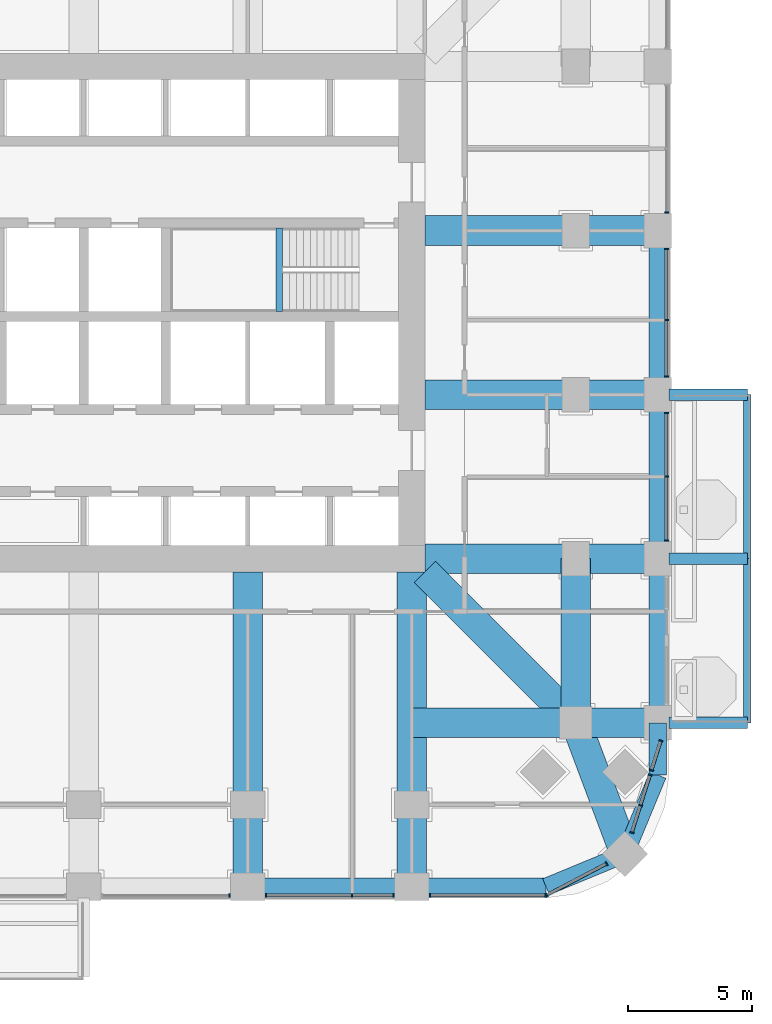
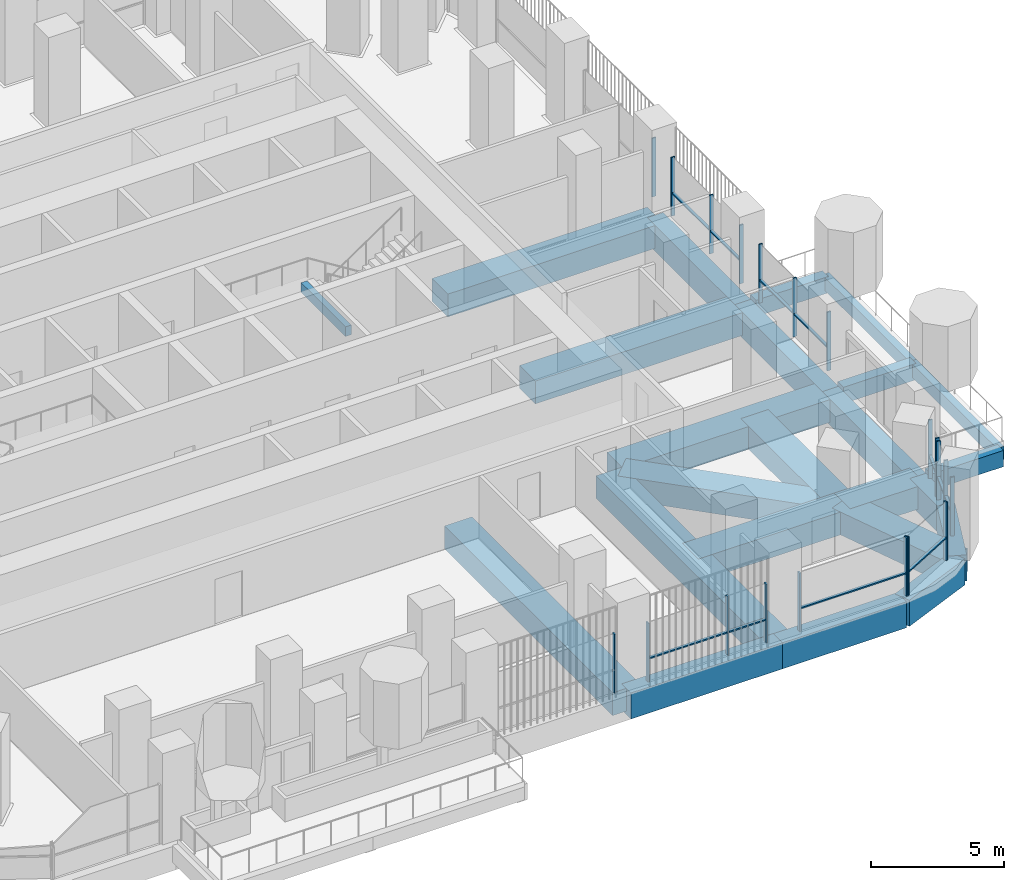
# One storey, part 5 of 21: 31 members, 24 beams, 9 elements without a shape of their own.
"""IFC4 building model written with IfcOpenShell, lengths in metres."""

from ifc_helpers import new_model, si_unit, direction, frame, origin, origin_2d, place, context, subcontext, project, spatial, rectangle, extrude, material, material_profile, profile_set, type_object, element, aggregate, save


model = new_model("IFC4")

# Units and contexts
model_context = context("Model", 3, precision=1e-05, world=origin(), true_north=direction((0.0, 1.0)))
body_context = subcontext(model_context, "Body", "Model", "MODEL_VIEW")
ifc_project = project(units=[si_unit("LENGTHUNIT", "METRE"), si_unit("AREAUNIT", "SQUARE_METRE"), si_unit("VOLUMEUNIT", "CUBIC_METRE"), si_unit("PLANEANGLEUNIT", "RADIAN"), si_unit("MASSUNIT", "GRAM", prefix="KILO")], contexts=[model_context])

# Site, building, storey
site_placement = place(None, origin())
site = spatial("IfcSite", under=ifc_project, at=site_placement, CompositionType="ELEMENT")
building_placement = place(site_placement, origin())
building = spatial("IfcBuilding", under=site, at=building_placement, Name="Cobogo Forest Laboratory Tower", CompositionType="ELEMENT")
storey_placement = place(building_placement, frame((0.0, 0.0, 124.199951171875)))
storey = spatial("IfcBuildingStorey", under=building, at=storey_placement, Name="L28", CompositionType="ELEMENT", Elevation=124.199951171875)

# Beams
ifc_material_1 = material(Name="Concrete HA-40 (C40/50)", Category="concrete")
ifc_material_profile_1 = material_profile(ifc_material_1, rectangle(XDim=0.449951171875, YDim=0.75, at=origin_2d()), Name="RC 450x750")
ifc_profile_set_1 = profile_set([ifc_material_profile_1], Name="Concrete HA-40 (C40/50)")
beam_type_1 = type_object("IfcBeamType", Name="Balcony cantilever beam 450x750", PredefinedType="BEAM", material=ifc_profile_set_1)
for number, where, z_axis, x_axis, name in (
    (1, (49.949951171875, 6.60009765625, -0.625), (1.0, 0.0, 0.0), (0.0, 1.0, 0.0), "CB1 BAL-E1-C1 L28"),
    (2, (49.949951171875, 13.199951171875, -0.625), (1.0, 0.0, 0.0), (0.0, 1.0, 0.0), "CB1 BAL-E1-C2 L28"),
    (3, (49.949951171875, 19.800048828125, -0.625), (1.0, 0.0, 0.0), (0.0, 1.0, 0.0), "CB1 BAL-E1-C3 L28"),
):
    element("IfcBeam", number, at=place(storey_placement, frame(where, z_axis=z_axis, x_axis=x_axis)), inside=storey, type_object=beam_type_1, Name=name, PredefinedType="BEAM", context=body_context, shape_type="SweptSolid", body=[
        extrude(rectangle(XDim=0.449951171875, YDim=0.75, at=origin_2d()), origin(), (0.0, 0.0, 1.0), 3.150146484375),
    ])
ifc_material_profile_2 = material_profile(ifc_material_1, rectangle(XDim=0.300048828125, YDim=0.60009765625, at=origin_2d()), Name="RC 300x600")
ifc_profile_set_2 = profile_set([ifc_material_profile_2], Name="Concrete HA-40 (C40/50)")
beam_type_2 = type_object("IfcBeamType", Name="Balcony edge beam 300x600", PredefinedType="BEAM", material=ifc_profile_set_2)
beam_1_placement = place(storey_placement, frame((53.10009765625, 6.60009765625, -0.550048828125), z_axis=(0.0, 1.0, 0.0), x_axis=(-1.0, 0.0, 0.0)))
element("IfcBeam", 4, at=beam_1_placement, inside=storey, type_object=beam_type_2, Name="BB1 BAL-E1-T1 L28", PredefinedType="BEAM", context=body_context, shape_type="SweptSolid", body=[
    extrude(rectangle(XDim=0.300048828125, YDim=0.60009765625, at=origin_2d()), origin(), (0.0, 0.0, 1.0), 6.599853515625),
])
beam_2_placement = place(storey_placement, frame((53.10009765625, 13.199951171875, -0.550048828125), z_axis=(0.0, 1.0, 0.0), x_axis=(-1.0, 0.0, 0.0)))
element("IfcBeam", 5, at=beam_2_placement, inside=storey, type_object=beam_type_2, Name="BB1 BAL-E1-T2 L28", PredefinedType="BEAM", context=body_context, shape_type="SweptSolid", body=[
    extrude(rectangle(XDim=0.300048828125, YDim=0.60009765625, at=origin_2d()), origin(), (0.0, 0.0, 1.0), 6.60009765625),
])
ifc_material_profile_3 = material_profile(ifc_material_1, rectangle(XDim=0.25, YDim=0.449951171875, at=origin_2d()), Name="RC 250x450")
ifc_profile_set_3 = profile_set([ifc_material_profile_3], Name="Concrete HA-40 (C40/50)")
beam_type_3 = type_object("IfcBeamType", Name="LB1 landing beam 250x450", PredefinedType="BEAM", material=ifc_profile_set_3)
beam_3_placement = place(storey_placement, frame((34.27001953125, 23.14990234375, 1.675048828125), z_axis=(0.0, 1.0, 0.0), x_axis=(-1.0, 0.0, 0.0)))
element("IfcBeam", 6, at=beam_3_placement, inside=storey, type_object=beam_type_3, Name="Landing beam ST2 L28", PredefinedType="BEAM", context=body_context, shape_type="SweptSolid", body=[
    extrude(rectangle(XDim=0.25, YDim=0.449951171875, at=origin_2d()), origin(), (0.0, 0.0, 1.0), 3.35009765625),
])
ifc_material_profile_4 = material_profile(ifc_material_1, rectangle(XDim=1.199951171875, YDim=1.050048828125, at=origin_2d()), Name="RC 1200x1050")
ifc_profile_set_4 = profile_set([ifc_material_profile_4], Name="Concrete HA-40 (C40/50)")
beam_type_4 = type_object("IfcBeamType", Name="Laboratory floor wide beam 1200x1050", PredefinedType="BEAM", material=ifc_profile_set_4)
for number, where, z_axis, x_axis, name in (
    (7, (33.0, 12.675048828125, -0.824951171875), (0.0, -1.0, 0.0), (1.0, 0.0, 0.0), "RB1 R-6-S L28"),
    (8, (39.60009765625, 12.675048828125, -0.824951171875), (0.0, -1.0, 0.0), (1.0, 0.0, 0.0), "RB1 R-7-S L28"),
):
    element("IfcBeam", number, at=place(storey_placement, frame(where, z_axis=z_axis, x_axis=x_axis)), inside=storey, type_object=beam_type_4, Name=name, PredefinedType="BEAM", context=body_context, shape_type="SweptSolid", body=[
        extrude(rectangle(XDim=1.199951171875, YDim=1.050048828125, at=origin_2d()), origin(), (0.0, 0.0, 1.0), 12.675048828125),
    ])
for number, where, z_axis, x_axis, name in (
    (9, (40.125, 13.199951171875, -0.824951171875), (1.0, 0.0, 0.0), (0.0, 1.0, 0.0), "RB1 R-C-E L28"),
    (10, (40.125, 19.800048828125, -0.824951171875), (1.0, 0.0, 0.0), (0.0, 1.0, 0.0), "RB1 R-D-E L28"),
    (11, (40.125, 26.39990234375, -0.824951171875), (1.0, 0.0, 0.0), (0.0, 1.0, 0.0), "RB1 R-E-E L28"),
):
    element("IfcBeam", number, at=place(storey_placement, frame(where, z_axis=z_axis, x_axis=x_axis)), inside=storey, type_object=beam_type_4, Name=name, PredefinedType="BEAM", context=body_context, shape_type="SweptSolid", body=[
        extrude(rectangle(XDim=1.199951171875, YDim=1.050048828125, at=origin_2d()), origin(), (0.0, 0.0, 1.0), 9.375),
    ])
beam_4_placement = place(storey_placement, frame((46.199951171875, 6.60009765625, -0.824951171875), z_axis=(0.0, 1.0, 0.0), x_axis=(-1.0, 0.0, 0.0)))
element("IfcBeam", 12, at=beam_4_placement, inside=storey, type_object=beam_type_4, Name="RB1 G-SE-XC L28", PredefinedType="BEAM", context=body_context, shape_type="SweptSolid", body=[
    extrude(rectangle(XDim=1.199951171875, YDim=1.050048828125, at=origin_2d()), origin(), (0.0, 0.0, 1.0), 6.599853515625),
])
beam_5_placement = place(storey_placement, frame((49.5, 6.60009765625, -0.824951171875), z_axis=(-1.0, 0.0, 0.0), x_axis=(0.0, -1.0, 0.0)))
element("IfcBeam", 13, at=beam_5_placement, inside=storey, type_object=beam_type_4, Name="RB1 G-SE-YF L28", PredefinedType="BEAM", context=body_context, shape_type="SweptSolid", body=[
    extrude(rectangle(XDim=1.199951171875, YDim=1.050048828125, at=origin_2d()), origin(), (0.0, 0.0, 1.0), 3.300048828125),
])
beam_6_placement = place(storey_placement, frame((46.199951171875, 6.60009765625, -0.824951171875), z_axis=(-1.0, 0.0, 0.0), x_axis=(0.0, -1.0, 0.0)))
element("IfcBeam", 14, at=beam_6_placement, inside=storey, type_object=beam_type_4, Name="RB1 G-SE-YC L28", PredefinedType="BEAM", context=body_context, shape_type="SweptSolid", body=[
    extrude(rectangle(XDim=1.199951171875, YDim=1.050048828125, at=origin_2d()), origin(), (0.0, 0.0, 1.0), 6.599853515625),
])
beam_7_placement = place(storey_placement, frame((48.181884765625, 1.318115234375, -0.824951171875), z_axis=(-0.351308391925, 0.936259800356, 0.0), x_axis=(-0.936259800356, -0.351308391925, 0.0)))
element("IfcBeam", 15, at=beam_7_placement, inside=storey, type_object=beam_type_4, Name="RB1 G-SE-D1 L28", PredefinedType="BEAM", context=body_context, shape_type="SweptSolid", body=[
    extrude(rectangle(XDim=1.199951171875, YDim=1.050048828125, at=origin_2d()), origin(), (0.0, 0.0, 1.0), 5.6416015625),
])
beam_8_placement = place(storey_placement, frame((46.199951171875, 6.60009765625, -0.824951171875), z_axis=(-0.707106781187, 0.707106781187, 0.0), x_axis=(-0.707106781187, -0.707106781187, 0.0)))
element("IfcBeam", 16, at=beam_8_placement, inside=storey, type_object=beam_type_4, Name="RB1 G-SE-D2 L28", PredefinedType="BEAM", context=body_context, shape_type="SweptSolid", body=[
    extrude(rectangle(XDim=1.199951171875, YDim=1.050048828125, at=origin_2d()), origin(), (0.0, 0.0, 1.0), 8.59130859375),
])

# Curtain wall, member
ifc_material_2 = material(Name="Aluminium curtain wall", Category="aluminium")
curtain_wall_type = type_object("IfcCurtainWallType", Name="CW-1 unitised curtain wall, clear glazing, laboratory floors zones A and B", PredefinedType="USERDEFINED", material=ifc_material_2)
curtain_wall_1_placement = place(storey_placement, origin())
curtain_wall_1 = element("IfcCurtainWall", 17, at=curtain_wall_1_placement, inside=storey, type_object=curtain_wall_type, Name="Curtain wall 04 L28", ObjectType="UNITISED CURTAIN WALL", PredefinedType="USERDEFINED")
ifc_material_3 = material(Name="Aluminium mullion", Category="aluminium")
ifc_material_profile_5 = material_profile(ifc_material_3, rectangle(XDim=0.06005859375, YDim=0.159912109375, at=origin_2d()), Name="AL 60x160")
ifc_profile_set_5 = profile_set([ifc_material_profile_5], Name="Aluminium mullion")
member_type_1 = type_object("IfcMemberType", Name="MU-1 aluminium mullion 60x160", PredefinedType="MULLION", material=ifc_profile_set_5)
member_1_placement = place(storey_placement, frame((32.27001953125, -0.35009765625, 0.0), z_axis=(0.0, 0.0, 1.0), x_axis=(1.0, 0.0, 0.0)))
member_1 = element("IfcMember", 18, at=member_1_placement, type_object=member_type_1, Name="CW-1 mullion 2", PredefinedType="MULLION", context=body_context, shape_type="SweptSolid", body=[
    extrude(rectangle(XDim=0.06005859375, YDim=0.159912109375, at=origin_2d()), origin(), (0.0, 0.0, 1.0), 2.699951171875),
])
aggregate(curtain_wall_1, [member_1])

# Curtain wall, members
curtain_wall_2_placement = place(storey_placement, origin())
curtain_wall_2 = element("IfcCurtainWall", 19, at=curtain_wall_2_placement, inside=storey, type_object=curtain_wall_type, Name="Curtain wall 05 L28", ObjectType="UNITISED CURTAIN WALL", PredefinedType="USERDEFINED")
member_2_placement = place(storey_placement, frame((33.72998046875, -0.35009765625, 0.0), z_axis=(0.0, 0.0, 1.0), x_axis=(1.0, 0.0, 0.0)))
member_2 = element("IfcMember", 20, at=member_2_placement, type_object=member_type_1, Name="CW-1 mullion 1", PredefinedType="MULLION", context=body_context, shape_type="SweptSolid", body=[
    extrude(rectangle(XDim=0.06005859375, YDim=0.159912109375, at=origin_2d()), origin(), (0.0, 0.0, 1.0), 2.699951171875),
])
member_3_placement = place(storey_placement, frame((37.199951171875, -0.35009765625, 0.0), z_axis=(0.0, 0.0, 1.0), x_axis=(1.0, 0.0, 0.0)))
member_3 = element("IfcMember", 21, at=member_3_placement, type_object=member_type_1, Name="CW-1 mullion 2", PredefinedType="MULLION", context=body_context, shape_type="SweptSolid", body=[
    extrude(rectangle(XDim=0.06005859375, YDim=0.159912109375, at=origin_2d()), origin(), (0.0, 0.0, 1.0), 2.699951171875),
])
member_4_placement = place(storey_placement, frame((38.8701171875, -0.35009765625, 0.0), z_axis=(0.0, 0.0, 1.0), x_axis=(1.0, 0.0, 0.0)))
member_4 = element("IfcMember", 22, at=member_4_placement, type_object=member_type_1, Name="CW-1 mullion 3", PredefinedType="MULLION", context=body_context, shape_type="SweptSolid", body=[
    extrude(rectangle(XDim=0.06005859375, YDim=0.159912109375, at=origin_2d()), origin(), (0.0, 0.0, 1.0), 2.699951171875),
])

curtain_wall_3_placement = place(storey_placement, origin())
curtain_wall_3 = element("IfcCurtainWall", 23, at=curtain_wall_3_placement, inside=storey, type_object=curtain_wall_type, Name="Curtain wall 06 L28", ObjectType="UNITISED CURTAIN WALL", PredefinedType="USERDEFINED")
member_5_placement = place(storey_placement, frame((40.330078125, -0.35009765625, 0.0), z_axis=(0.0, 0.0, 1.0), x_axis=(1.0, 0.0, 0.0)))
member_5 = element("IfcMember", 24, at=member_5_placement, type_object=member_type_1, Name="CW-1 mullion 1", PredefinedType="MULLION", context=body_context, shape_type="SweptSolid", body=[
    extrude(rectangle(XDim=0.06005859375, YDim=0.159912109375, at=origin_2d()), origin(), (0.0, 0.0, 1.0), 2.699951171875),
])
member_6_placement = place(storey_placement, frame((44.969970703125, -0.35009765625, 0.0), z_axis=(0.0, 0.0, 1.0), x_axis=(1.0, 0.0, 0.0)))
member_6 = element("IfcMember", 25, at=member_6_placement, type_object=member_type_1, Name="CW-1 mullion 2", PredefinedType="MULLION", context=body_context, shape_type="SweptSolid", body=[
    extrude(rectangle(XDim=0.06005859375, YDim=0.159912109375, at=origin_2d()), origin(), (0.0, 0.0, 1.0), 2.699951171875),
])

curtain_wall_4_placement = place(storey_placement, origin())
curtain_wall_4 = element("IfcCurtainWall", 26, at=curtain_wall_4_placement, inside=storey, type_object=curtain_wall_type, Name="Curtain wall 07 L28", ObjectType="UNITISED CURTAIN WALL", PredefinedType="USERDEFINED")
member_7_placement = place(storey_placement, frame((45.026611328125, -0.336181640625, 0.0), z_axis=(0.0, 0.0, 1.0), x_axis=(0.885686547075, 0.464283685186, 0.0)))
member_7 = element("IfcMember", 27, at=member_7_placement, type_object=member_type_1, Name="CW-1 mullion 1", PredefinedType="MULLION", context=body_context, shape_type="SweptSolid", body=[
    extrude(rectangle(XDim=0.06005859375, YDim=0.159912109375, at=origin_2d()), origin(), (0.0, 0.0, 1.0), 2.699951171875),
])
member_8_placement = place(storey_placement, frame((47.431640625, 0.9248046875, 0.0), z_axis=(0.0, 0.0, 1.0), x_axis=(0.885686547075, 0.464283685186, 0.0)))
member_8 = element("IfcMember", 28, at=member_8_placement, type_object=member_type_1, Name="CW-1 mullion 2", PredefinedType="MULLION", context=body_context, shape_type="SweptSolid", body=[
    extrude(rectangle(XDim=0.06005859375, YDim=0.159912109375, at=origin_2d()), origin(), (0.0, 0.0, 1.0), 2.699951171875),
])

curtain_wall_5_placement = place(storey_placement, origin())
curtain_wall_5 = element("IfcCurtainWall", 29, at=curtain_wall_5_placement, inside=storey, type_object=curtain_wall_type, Name="Curtain wall 08 L28", ObjectType="UNITISED CURTAIN WALL", PredefinedType="USERDEFINED")
member_9_placement = place(storey_placement, frame((48.455810546875, 2.18505859375, 0.0), z_axis=(0.0, 0.0, 1.0), x_axis=(0.301135291996, 0.953581425949, 0.0)))
member_9 = element("IfcMember", 30, at=member_9_placement, type_object=member_type_1, Name="CW-1 mullion 1", PredefinedType="MULLION", context=body_context, shape_type="SweptSolid", body=[
    extrude(rectangle(XDim=0.06005859375, YDim=0.159912109375, at=origin_2d()), origin(), (0.0, 0.0, 1.0), 2.699951171875),
])
member_10_placement = place(storey_placement, frame((48.80029296875, 3.27587890625, 0.0), z_axis=(0.0, 0.0, 1.0), x_axis=(0.301135291996, 0.953581425949, 0.0)))
member_10 = element("IfcMember", 31, at=member_10_placement, type_object=member_type_1, Name="CW-1 mullion 2", PredefinedType="MULLION", context=body_context, shape_type="SweptSolid", body=[
    extrude(rectangle(XDim=0.06005859375, YDim=0.159912109375, at=origin_2d()), origin(), (0.0, 0.0, 1.0), 2.699951171875),
])
member_11_placement = place(storey_placement, frame((49.18701171875, 4.500244140625, 0.0), z_axis=(0.0, 0.0, 1.0), x_axis=(0.301135291996, 0.953581425949, 0.0)))
member_11 = element("IfcMember", 32, at=member_11_placement, type_object=member_type_1, Name="CW-1 mullion 3", PredefinedType="MULLION", context=body_context, shape_type="SweptSolid", body=[
    extrude(rectangle(XDim=0.06005859375, YDim=0.159912109375, at=origin_2d()), origin(), (0.0, 0.0, 1.0), 2.699951171875),
])

curtain_wall_6_placement = place(storey_placement, origin())
curtain_wall_6 = element("IfcCurtainWall", 33, at=curtain_wall_6_placement, inside=storey, type_object=curtain_wall_type, Name="Curtain wall 09 L28", ObjectType="UNITISED CURTAIN WALL", PredefinedType="USERDEFINED")
member_12_placement = place(storey_placement, frame((49.247802734375, 4.69287109375, 0.0), z_axis=(0.0, 0.0, 1.0), x_axis=(0.301135356805, 0.953581405483, 0.0)))
member_12 = element("IfcMember", 34, at=member_12_placement, type_object=member_type_1, Name="CW-1 mullion 1", PredefinedType="MULLION", context=body_context, shape_type="SweptSolid", body=[
    extrude(rectangle(XDim=0.06005859375, YDim=0.159912109375, at=origin_2d()), origin(), (0.0, 0.0, 1.0), 2.699951171875),
])
member_13_placement = place(storey_placement, frame((49.619873046875, 5.871337890625, 0.0), z_axis=(0.0, 0.0, 1.0), x_axis=(0.301135356805, 0.953581405483, 0.0)))
member_13 = element("IfcMember", 35, at=member_13_placement, type_object=member_type_1, Name="CW-1 mullion 2", PredefinedType="MULLION", context=body_context, shape_type="SweptSolid", body=[
    extrude(rectangle(XDim=0.06005859375, YDim=0.159912109375, at=origin_2d()), origin(), (0.0, 0.0, 1.0), 2.699951171875),
])

curtain_wall_7_placement = place(storey_placement, origin())
curtain_wall_7 = element("IfcCurtainWall", 36, at=curtain_wall_7_placement, inside=storey, type_object=curtain_wall_type, Name="Curtain wall 11 L28", ObjectType="UNITISED CURTAIN WALL", PredefinedType="USERDEFINED")
member_14_placement = place(storey_placement, frame((49.85009765625, 13.929931640625, 0.0), z_axis=(0.0, 0.0, 1.0), x_axis=(0.0, 1.0, 0.0)))
member_14 = element("IfcMember", 37, at=member_14_placement, type_object=member_type_1, Name="CW-1 mullion 1", PredefinedType="MULLION", context=body_context, shape_type="SweptSolid", body=[
    extrude(rectangle(XDim=0.06005859375, YDim=0.159912109375, at=origin_2d()), origin(), (0.0, 0.0, 1.0), 2.699951171875),
])
member_15_placement = place(storey_placement, frame((49.85009765625, 16.5, 0.0), z_axis=(0.0, 0.0, 1.0), x_axis=(0.0, 1.0, 0.0)))
member_15 = element("IfcMember", 38, at=member_15_placement, type_object=member_type_1, Name="CW-1 mullion 2", PredefinedType="MULLION", context=body_context, shape_type="SweptSolid", body=[
    extrude(rectangle(XDim=0.06005859375, YDim=0.159912109375, at=origin_2d()), origin(), (0.0, 0.0, 1.0), 2.699951171875),
])
member_16_placement = place(storey_placement, frame((49.85009765625, 19.070068359375, 0.0), z_axis=(0.0, 0.0, 1.0), x_axis=(0.0, 1.0, 0.0)))
member_16 = element("IfcMember", 39, at=member_16_placement, type_object=member_type_1, Name="CW-1 mullion 3", PredefinedType="MULLION", context=body_context, shape_type="SweptSolid", body=[
    extrude(rectangle(XDim=0.06005859375, YDim=0.159912109375, at=origin_2d()), origin(), (0.0, 0.0, 1.0), 2.699951171875),
])

curtain_wall_8_placement = place(storey_placement, origin())
curtain_wall_8 = element("IfcCurtainWall", 40, at=curtain_wall_8_placement, inside=storey, type_object=curtain_wall_type, Name="Curtain wall 12 L28", ObjectType="UNITISED CURTAIN WALL", PredefinedType="USERDEFINED")
member_17_placement = place(storey_placement, frame((49.85009765625, 20.530029296875, 0.0), z_axis=(0.0, 0.0, 1.0), x_axis=(0.0, 1.0, 0.0)))
member_17 = element("IfcMember", 41, at=member_17_placement, type_object=member_type_1, Name="CW-1 mullion 1", PredefinedType="MULLION", context=body_context, shape_type="SweptSolid", body=[
    extrude(rectangle(XDim=0.06005859375, YDim=0.159912109375, at=origin_2d()), origin(), (0.0, 0.0, 1.0), 2.699951171875),
])
member_18_placement = place(storey_placement, frame((49.85009765625, 22.800048828125, 0.0), z_axis=(0.0, 0.0, 1.0), x_axis=(0.0, 1.0, 0.0)))
member_18 = element("IfcMember", 42, at=member_18_placement, type_object=member_type_1, Name="CW-1 mullion 2", PredefinedType="MULLION", context=body_context, shape_type="SweptSolid", body=[
    extrude(rectangle(XDim=0.06005859375, YDim=0.159912109375, at=origin_2d()), origin(), (0.0, 0.0, 1.0), 2.699951171875),
])
member_19_placement = place(storey_placement, frame((49.85009765625, 25.669921875, 0.0), z_axis=(0.0, 0.0, 1.0), x_axis=(0.0, 1.0, 0.0)))
member_19 = element("IfcMember", 43, at=member_19_placement, type_object=member_type_1, Name="CW-1 mullion 3", PredefinedType="MULLION", context=body_context, shape_type="SweptSolid", body=[
    extrude(rectangle(XDim=0.06005859375, YDim=0.159912109375, at=origin_2d()), origin(), (0.0, 0.0, 1.0), 2.699951171875),
])

# Curtain wall, member
curtain_wall_9_placement = place(storey_placement, origin())
curtain_wall_9 = element("IfcCurtainWall", 44, at=curtain_wall_9_placement, inside=storey, type_object=curtain_wall_type, Name="Curtain wall 13 L28", ObjectType="UNITISED CURTAIN WALL", PredefinedType="USERDEFINED")
member_20_placement = place(storey_placement, frame((49.85009765625, 27.1298828125, 0.0), z_axis=(0.0, 0.0, 1.0), x_axis=(0.0, 1.0, 0.0)))
member_20 = element("IfcMember", 45, at=member_20_placement, type_object=member_type_1, Name="CW-1 mullion 1", PredefinedType="MULLION", context=body_context, shape_type="SweptSolid", body=[
    extrude(rectangle(XDim=0.06005859375, YDim=0.159912109375, at=origin_2d()), origin(), (0.0, 0.0, 1.0), 2.699951171875),
])
aggregate(curtain_wall_9, [member_20])

# Beams
ifc_material_profile_6 = material_profile(ifc_material_1, rectangle(XDim=0.699951171875, YDim=1.199951171875, at=origin_2d()), Name="RC 700x1200")
ifc_profile_set_6 = profile_set([ifc_material_profile_6], Name="Concrete HA-40 (C40/50)")
beam_type_5 = type_object("IfcBeamType", Name="Perimeter edge beam 700x1200", PredefinedType="BEAM", material=ifc_profile_set_6)
beam_9_placement = place(storey_placement, frame((33.0, 0.0, -0.89990234375), z_axis=(1.0, 0.0, 0.0), x_axis=(0.0, 1.0, 0.0)))
element("IfcBeam", 46, at=beam_9_placement, inside=storey, type_object=beam_type_5, Name="EB1 E-S4 L28", PredefinedType="BEAM", context=body_context, shape_type="SweptSolid", body=[
    extrude(rectangle(XDim=0.699951171875, YDim=1.199951171875, at=origin_2d()), origin(), (0.0, 0.0, 1.0), 6.60009765625),
])
beam_10_placement = place(storey_placement, frame((49.5, 6.60009765625, -0.89990234375), z_axis=(0.0, 1.0, 0.0), x_axis=(-1.0, 0.0, 0.0)))
element("IfcBeam", 47, at=beam_10_placement, inside=storey, type_object=beam_type_5, Name="EB1 E-E1 L28", PredefinedType="BEAM", context=body_context, shape_type="SweptSolid", body=[
    extrude(rectangle(XDim=0.699951171875, YDim=1.199951171875, at=origin_2d()), origin(), (0.0, 0.0, 1.0), 6.599853515625),
])
beam_11_placement = place(storey_placement, frame((49.5, 13.199951171875, -0.89990234375), z_axis=(0.0, 1.0, 0.0), x_axis=(-1.0, 0.0, 0.0)))
element("IfcBeam", 48, at=beam_11_placement, inside=storey, type_object=beam_type_5, Name="EB1 E-E2 L28", PredefinedType="BEAM", context=body_context, shape_type="SweptSolid", body=[
    extrude(rectangle(XDim=0.699951171875, YDim=1.199951171875, at=origin_2d()), origin(), (0.0, 0.0, 1.0), 6.60009765625),
])
beam_12_placement = place(storey_placement, frame((49.5, 19.800048828125, -0.89990234375), z_axis=(0.0, 1.0, 0.0), x_axis=(-1.0, 0.0, 0.0)))
element("IfcBeam", 49, at=beam_12_placement, inside=storey, type_object=beam_type_5, Name="EB1 E-E3 L28", PredefinedType="BEAM", context=body_context, shape_type="SweptSolid", body=[
    extrude(rectangle(XDim=0.699951171875, YDim=1.199951171875, at=origin_2d()), origin(), (0.0, 0.0, 1.0), 6.599853515625),
])
beam_13_placement = place(storey_placement, frame((39.60009765625, 0.0, -0.89990234375), z_axis=(1.0, 0.0, 0.0), x_axis=(0.0, 1.0, 0.0)))
element("IfcBeam", 50, at=beam_13_placement, inside=storey, type_object=beam_type_5, Name="EB1 E-SES1 L28", PredefinedType="BEAM", context=body_context, shape_type="SweptSolid", body=[
    extrude(rectangle(XDim=0.699951171875, YDim=1.199951171875, at=origin_2d()), origin(), (0.0, 0.0, 1.0), 5.39990234375),
])
beam_14_placement = place(storey_placement, frame((45.0, 0.0, -0.89990234375), z_axis=(0.923865631356, 0.382716990999, 0.0), x_axis=(-0.382716990999, 0.923865631356, 0.0)))
element("IfcBeam", 51, at=beam_14_placement, inside=storey, type_object=beam_type_5, Name="EB1 E-SES2 L28", PredefinedType="BEAM", context=body_context, shape_type="SweptSolid", body=[
    extrude(rectangle(XDim=0.699951171875, YDim=1.199951171875, at=origin_2d()), origin(), (0.0, 0.0, 1.0), 3.444091796875),
])
beam_15_placement = place(storey_placement, frame((49.5, 6.60009765625, -0.89990234375), z_axis=(0.0, -1.0, 0.0), x_axis=(1.0, 0.0, 0.0)))
element("IfcBeam", 52, at=beam_15_placement, inside=storey, type_object=beam_type_5, Name="EB1 E-SEE1 L28", PredefinedType="BEAM", context=body_context, shape_type="SweptSolid", body=[
    extrude(rectangle(XDim=0.699951171875, YDim=1.199951171875, at=origin_2d()), origin(), (0.0, 0.0, 1.0), 2.10009765625),
])
beam_16_placement = place(storey_placement, frame((49.5, 4.5, -0.89990234375), z_axis=(-0.382716990999, -0.923865631356, 0.0), x_axis=(0.923865631356, -0.382716990999, 0.0)))
element("IfcBeam", 53, at=beam_16_placement, inside=storey, type_object=beam_type_5, Name="EB1 E-SEE2 L28", PredefinedType="BEAM", context=body_context, shape_type="SweptSolid", body=[
    extrude(rectangle(XDim=0.699951171875, YDim=1.199951171875, at=origin_2d()), origin(), (0.0, 0.0, 1.0), 3.444091796875),
])

# Member
ifc_material_4 = material(Name="Aluminium transom", Category="aluminium")
ifc_material_profile_7 = material_profile(ifc_material_4, rectangle(XDim=0.1201171875, YDim=0.06005859375, at=origin_2d()), Name="AL 60x120")
ifc_profile_set_7 = profile_set([ifc_material_profile_7], Name="Aluminium transom")
member_type_2 = type_object("IfcMemberType", Name="TR-1 aluminium transom 60x120", PredefinedType="USERDEFINED", material=ifc_profile_set_7)
member_21_placement = place(storey_placement, frame((33.760009765625, -0.35009765625, 1.050048828125), z_axis=(1.0, 0.0, 0.0), x_axis=(0.0, 1.0, 0.0)))
member_21 = element("IfcMember", 54, at=member_21_placement, type_object=member_type_2, Name="CW-1 transom 1.1", ObjectType="TRANSOM", PredefinedType="USERDEFINED", context=body_context, shape_type="SweptSolid", body=[
    extrude(rectangle(XDim=0.1201171875, YDim=0.06005859375, at=origin_2d()), origin(), (0.0, 0.0, 1.0), 3.409912109375),
])

member_22_placement = place(storey_placement, frame((37.22998046875, -0.35009765625, 1.050048828125), z_axis=(1.0, 0.0, 0.0), x_axis=(0.0, 1.0, 0.0)))
member_22 = element("IfcMember", 55, at=member_22_placement, type_object=member_type_2, Name="CW-1 transom 2.1", ObjectType="TRANSOM", PredefinedType="USERDEFINED", context=body_context, shape_type="SweptSolid", body=[
    extrude(rectangle(XDim=0.1201171875, YDim=0.06005859375, at=origin_2d()), origin(), (0.0, 0.0, 1.0), 1.610107421875),
])

aggregate(curtain_wall_2, [member_2, member_3, member_4, member_21, member_22])

member_23_placement = place(storey_placement, frame((40.360107421875, -0.35009765625, 1.050048828125), z_axis=(1.0, 0.0, 0.0), x_axis=(0.0, 1.0, 0.0)))
member_23 = element("IfcMember", 56, at=member_23_placement, type_object=member_type_2, Name="CW-1 transom 1.1", ObjectType="TRANSOM", PredefinedType="USERDEFINED", context=body_context, shape_type="SweptSolid", body=[
    extrude(rectangle(XDim=0.1201171875, YDim=0.06005859375, at=origin_2d()), origin(), (0.0, 0.0, 1.0), 4.579833984375),
])

aggregate(curtain_wall_3, [member_5, member_6, member_23])

member_24_placement = place(storey_placement, frame((45.05322265625, -0.322021484375, 1.050048828125), z_axis=(0.885674922116, 0.464305860758, 0.0), x_axis=(-0.464305860758, 0.885674922116, 0.0)))
member_24 = element("IfcMember", 57, at=member_24_placement, type_object=member_type_2, Name="CW-1 transom 1.1", ObjectType="TRANSOM", PredefinedType="USERDEFINED", context=body_context, shape_type="SweptSolid", body=[
    extrude(rectangle(XDim=0.1201171875, YDim=0.06005859375, at=origin_2d()), origin(), (0.0, 0.0, 1.0), 2.6552734375),
])

aggregate(curtain_wall_4, [member_7, member_8, member_24])

member_25_placement = place(storey_placement, frame((48.46484375, 2.213623046875, 1.050048828125), z_axis=(0.301120589075, 0.953586068918, 0.0), x_axis=(-0.953586068918, 0.301120589075, 0.0)))
member_25 = element("IfcMember", 58, at=member_25_placement, type_object=member_type_2, Name="CW-1 transom 1.1", ObjectType="TRANSOM", PredefinedType="USERDEFINED", context=body_context, shape_type="SweptSolid", body=[
    extrude(rectangle(XDim=0.1201171875, YDim=0.06005859375, at=origin_2d()), origin(), (0.0, 0.0, 1.0), 1.083984375),
])

member_26_placement = place(storey_placement, frame((48.809326171875, 3.304443359375, 1.050048828125), z_axis=(0.301169549566, 0.953570606937, 0.0), x_axis=(-0.953570606937, 0.301169549566, 0.0)))
member_26 = element("IfcMember", 59, at=member_26_placement, type_object=member_type_2, Name="CW-1 transom 2.1", ObjectType="TRANSOM", PredefinedType="USERDEFINED", context=body_context, shape_type="SweptSolid", body=[
    extrude(rectangle(XDim=0.1201171875, YDim=0.06005859375, at=origin_2d()), origin(), (0.0, 0.0, 1.0), 1.22412109375),
])

aggregate(curtain_wall_5, [member_9, member_10, member_11, member_25, member_26])

member_27_placement = place(storey_placement, frame((49.2568359375, 4.7216796875, 1.050048828125), z_axis=(0.301111490799, 0.953588941897, 0.0), x_axis=(-0.953588941897, 0.301111490799, 0.0)))
member_27 = element("IfcMember", 60, at=member_27_placement, type_object=member_type_2, Name="CW-1 transom 1.1", ObjectType="TRANSOM", PredefinedType="USERDEFINED", context=body_context, shape_type="SweptSolid", body=[
    extrude(rectangle(XDim=0.1201171875, YDim=0.06005859375, at=origin_2d()), origin(), (0.0, 0.0, 1.0), 1.175537109375),
])

aggregate(curtain_wall_6, [member_12, member_13, member_27])

member_28_placement = place(storey_placement, frame((49.85009765625, 13.9599609375, 1.050048828125), z_axis=(0.0, 1.0, 0.0), x_axis=(-1.0, 0.0, 0.0)))
member_28 = element("IfcMember", 61, at=member_28_placement, type_object=member_type_2, Name="CW-1 transom 1.1", ObjectType="TRANSOM", PredefinedType="USERDEFINED", context=body_context, shape_type="SweptSolid", body=[
    extrude(rectangle(XDim=0.1201171875, YDim=0.06005859375, at=origin_2d()), origin(), (0.0, 0.0, 1.0), 2.510009765625),
])

member_29_placement = place(storey_placement, frame((49.85009765625, 16.530029296875, 1.050048828125), z_axis=(0.0, 1.0, 0.0), x_axis=(-1.0, 0.0, 0.0)))
member_29 = element("IfcMember", 62, at=member_29_placement, type_object=member_type_2, Name="CW-1 transom 2.1", ObjectType="TRANSOM", PredefinedType="USERDEFINED", context=body_context, shape_type="SweptSolid", body=[
    extrude(rectangle(XDim=0.1201171875, YDim=0.06005859375, at=origin_2d()), origin(), (0.0, 0.0, 1.0), 2.510009765625),
])

aggregate(curtain_wall_7, [member_14, member_15, member_16, member_28, member_29])

member_30_placement = place(storey_placement, frame((49.85009765625, 20.56005859375, 1.050048828125), z_axis=(0.0, 1.0, 0.0), x_axis=(-1.0, 0.0, 0.0)))
member_30 = element("IfcMember", 63, at=member_30_placement, type_object=member_type_2, Name="CW-1 transom 1.1", ObjectType="TRANSOM", PredefinedType="USERDEFINED", context=body_context, shape_type="SweptSolid", body=[
    extrude(rectangle(XDim=0.1201171875, YDim=0.06005859375, at=origin_2d()), origin(), (0.0, 0.0, 1.0), 2.2099609375),
])

member_31_placement = place(storey_placement, frame((49.85009765625, 22.830078125, 1.050048828125), z_axis=(0.0, 1.0, 0.0), x_axis=(-1.0, 0.0, 0.0)))
member_31 = element("IfcMember", 64, at=member_31_placement, type_object=member_type_2, Name="CW-1 transom 2.1", ObjectType="TRANSOM", PredefinedType="USERDEFINED", context=body_context, shape_type="SweptSolid", body=[
    extrude(rectangle(XDim=0.1201171875, YDim=0.06005859375, at=origin_2d()), origin(), (0.0, 0.0, 1.0), 2.809814453125),
])

aggregate(curtain_wall_8, [member_17, member_18, member_19, member_30, member_31])

save(model, "model.ifc")
